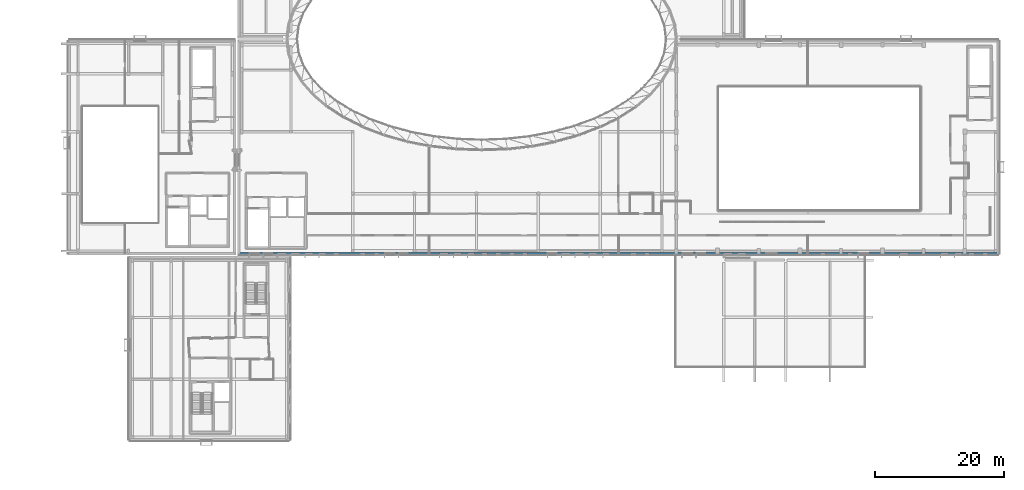
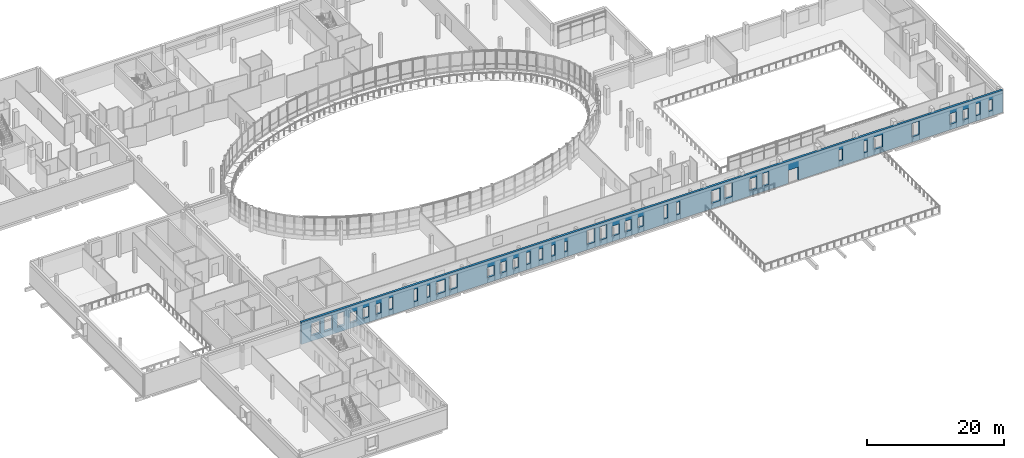
# One storey, part 41 of 73: 1 wall, 38 openings.
"""IFC4 building model written with IfcOpenShell, lengths in metres."""

from ifc_helpers import new_model, si_unit, direction, frame, frame_2d, origin, place, context, subcontext, project, spatial, rectangle, extrude, material, layer, layer_set, type_object, element, save


model = new_model("IFC4")

# Units and contexts
model_context = context("Model", 3, precision=1e-05, world=origin(), true_north=direction((0.0, 1.0)))
body_context = subcontext(model_context, "Body", "Model", "MODEL_VIEW")
ifc_project = project(units=[si_unit("LENGTHUNIT", "METRE"), si_unit("AREAUNIT", "SQUARE_METRE"), si_unit("VOLUMEUNIT", "CUBIC_METRE"), si_unit("PLANEANGLEUNIT", "RADIAN"), si_unit("MASSUNIT", "GRAM", prefix="KILO")], contexts=[model_context])

# Site, building, storey
site_placement = place(None, origin())
site = spatial("IfcSite", under=ifc_project, at=site_placement, CompositionType="ELEMENT")
building_placement = place(site_placement, origin())
building = spatial("IfcBuilding", under=site, at=building_placement, Name="Mzevani Central Library", CompositionType="ELEMENT")
storey_placement = place(building_placement, frame((0.0, 0.0, 9.60009765625)))
storey = spatial("IfcBuildingStorey", under=building, at=storey_placement, Name="L02", CompositionType="ELEMENT", Elevation=9.60009765625)

# Wall, openings
ifc_material = material(Name="Precast concrete C40/50", Category="concrete")
ifc_layer = layer(ifc_material, 0.3798828125, Name="Exterior Thermal Concrete Wall 380")
ifc_layer_set = layer_set([ifc_layer], Name="Precast concrete C40/50")
wall_type = type_object("IfcWallType", Name="Exterior Thermal Concrete Wall 380", PredefinedType="STANDARD", material=ifc_layer_set)
wall_placement = place(storey_placement, frame((164.2099609375, 42.68994140625, 0.0), z_axis=(0.0, 0.0, 1.0), x_axis=(-1.0, 0.0, 0.0)))
wall = element("IfcWall", 1, at=wall_placement, inside=storey, type_object=wall_type, Name="L02 V1 Exterior Thermal Wall (11)", PredefinedType="STANDARD", context=body_context, shape_type="SweptSolid", body=[
    extrude(rectangle(XDim=117.919921875, YDim=0.3798828125, at=frame_2d((58.9599609375, 0.0))), origin(), (0.0, 0.0, 1.0), 3.93994140625),
])
opening_1_placement = place(wall_placement, frame((34.385009765625, 0.0, 0.0)))
element("IfcOpeningElement", 2, at=opening_1_placement, cuts=wall, Name="Opening ED-02", PredefinedType="OPENING", context=body_context, shape_type="SweptSolid", body=[
    extrude(rectangle(XDim=1.64990234375, YDim=2.300048828125, at=frame_2d((0.824951171875, 1.14990234375))), frame((0.0, 0.199951171875, 0.0), z_axis=(0.0, -1.0, 0.0), x_axis=(1.0, 0.0, 0.0)), (0.0, 0.0, 1.0), 0.39990234375),
])
opening_2_placement = place(wall_placement, frame((1.72509765625, 0.0, 0.949951171875)))
element("IfcOpeningElement", 3, at=opening_2_placement, cuts=wall, Name="Opening WS-05", PredefinedType="OPENING", context=body_context, shape_type="SweptSolid", body=[
    extrude(rectangle(XDim=0.64990234375, YDim=2.0, at=frame_2d((0.324951171875, 1.0))), frame((0.0, 0.199951171875, 0.0), z_axis=(0.0, -1.0, 0.0), x_axis=(1.0, 0.0, 0.0)), (0.0, 0.0, 1.0), 0.39990234375),
])
opening_3_placement = place(wall_placement, frame((3.800048828125, 0.0, 0.949951171875)))
element("IfcOpeningElement", 4, at=opening_3_placement, cuts=wall, Name="Opening WS-07", PredefinedType="OPENING", context=body_context, shape_type="SweptSolid", body=[
    extrude(rectangle(XDim=0.699951171875, YDim=2.10009765625, at=frame_2d((0.35009765625, 1.050048828125))), frame((0.0, 0.199951171875, 0.0), z_axis=(0.0, -1.0, 0.0), x_axis=(1.0, 0.0, 0.0)), (0.0, 0.0, 1.0), 0.39990234375),
])
opening_4_placement = place(wall_placement, frame((5.800048828125, 0.0, 0.949951171875)))
element("IfcOpeningElement", 5, at=opening_4_placement, cuts=wall, Name="Opening W-01", PredefinedType="OPENING", context=body_context, shape_type="SweptSolid", body=[
    extrude(rectangle(XDim=0.89990234375, YDim=1.800048828125, at=frame_2d((0.449951171875, 0.89990234375))), frame((0.0, 0.199951171875, 0.0), z_axis=(0.0, -1.0, 0.0), x_axis=(1.0, 0.0, 0.0)), (0.0, 0.0, 1.0), 0.39990234375),
])
opening_5_placement = place(wall_placement, frame((7.824951171875, 0.0, 0.949951171875)))
element("IfcOpeningElement", 6, at=opening_5_placement, cuts=wall, Name="Opening W-03", PredefinedType="OPENING", context=body_context, shape_type="SweptSolid", body=[
    extrude(rectangle(XDim=1.050048828125, YDim=1.89990234375, at=frame_2d((0.52490234375, 0.949951171875))), frame((0.0, 0.199951171875, 0.0), z_axis=(0.0, -1.0, 0.0), x_axis=(1.0, 0.0, 0.0)), (0.0, 0.0, 1.0), 0.39990234375),
])
opening_6_placement = place(wall_placement, frame((14.050048828125, 0.0, 0.949951171875)))
element("IfcOpeningElement", 7, at=opening_6_placement, cuts=wall, Name="Opening W-07", PredefinedType="OPENING", context=body_context, shape_type="SweptSolid", body=[
    extrude(rectangle(XDim=1.199951171875, YDim=2.39990234375, at=frame_2d((0.60009765625, 1.199951171875))), frame((0.0, 0.199951171875, 0.0), z_axis=(0.0, -1.0, 0.0), x_axis=(1.0, 0.0, 0.0)), (0.0, 0.0, 1.0), 0.39990234375),
])
opening_7_placement = place(wall_placement, frame((20.199951171875, 0.0, 0.949951171875)))
element("IfcOpeningElement", 8, at=opening_7_placement, cuts=wall, Name="Opening W-11", PredefinedType="OPENING", context=body_context, shape_type="SweptSolid", body=[
    extrude(rectangle(XDim=1.5, YDim=2.199951171875, at=frame_2d((0.75, 1.10009765625))), frame((0.0, 0.199951171875, 0.0), z_axis=(0.0, -1.0, 0.0), x_axis=(1.0, 0.0, 0.0)), (0.0, 0.0, 1.0), 0.39990234375),
])
opening_8_placement = place(wall_placement, frame((22.77490234375, 0.0, 0.949951171875)))
element("IfcOpeningElement", 9, at=opening_8_placement, cuts=wall, Name="Opening WS-02", PredefinedType="OPENING", context=body_context, shape_type="SweptSolid", body=[
    extrude(rectangle(XDim=0.550048828125, YDim=2.10009765625, at=frame_2d((0.27490234375, 1.050048828125))), frame((0.0, 0.199951171875, 0.0), z_axis=(0.0, -1.0, 0.0), x_axis=(1.0, 0.0, 0.0)), (0.0, 0.0, 1.0), 0.39990234375),
])
opening_9_placement = place(wall_placement, frame((26.925048828125, 0.0, 0.949951171875)))
element("IfcOpeningElement", 10, at=opening_9_placement, cuts=wall, Name="Opening WS-05", PredefinedType="OPENING", context=body_context, shape_type="SweptSolid", body=[
    extrude(rectangle(XDim=0.64990234375, YDim=2.0, at=frame_2d((0.324951171875, 1.0))), frame((0.0, 0.199951171875, 0.0), z_axis=(0.0, -1.0, 0.0), x_axis=(1.0, 0.0, 0.0)), (0.0, 0.0, 1.0), 0.39990234375),
])
opening_10_placement = place(wall_placement, frame((39.324951171875, 0.0, 0.949951171875)))
element("IfcOpeningElement", 11, at=opening_10_placement, cuts=wall, Name="Opening W-04", PredefinedType="OPENING", context=body_context, shape_type="SweptSolid", body=[
    extrude(rectangle(XDim=1.050048828125, YDim=2.300048828125, at=frame_2d((0.52490234375, 1.14990234375))), frame((0.0, 0.199951171875, 0.0), z_axis=(0.0, -1.0, 0.0), x_axis=(1.0, 0.0, 0.0)), (0.0, 0.0, 1.0), 0.39990234375),
])
opening_11_placement = place(wall_placement, frame((41.35009765625, 0.0, 0.949951171875)))
element("IfcOpeningElement", 12, at=opening_11_placement, cuts=wall, Name="Opening W-06", PredefinedType="OPENING", context=body_context, shape_type="SweptSolid", body=[
    extrude(rectangle(XDim=1.199951171875, YDim=2.10009765625, at=frame_2d((0.60009765625, 1.050048828125))), frame((0.0, 0.199951171875, 0.0), z_axis=(0.0, -1.0, 0.0), x_axis=(1.0, 0.0, 0.0)), (0.0, 0.0, 1.0), 0.39990234375),
])
opening_12_placement = place(wall_placement, frame((45.47509765625, 0.0, 0.949951171875)))
element("IfcOpeningElement", 13, at=opening_12_placement, cuts=wall, Name="Opening W-09", PredefinedType="OPENING", context=body_context, shape_type="SweptSolid", body=[
    extrude(rectangle(XDim=1.35009765625, YDim=2.5, at=frame_2d((0.675048828125, 1.25))), frame((0.0, 0.199951171875, 0.0), z_axis=(0.0, -1.0, 0.0), x_axis=(1.0, 0.0, 0.0)), (0.0, 0.0, 1.0), 0.39990234375),
])
opening_13_placement = place(wall_placement, frame((47.5, 0.0, 0.949951171875)))
element("IfcOpeningElement", 14, at=opening_13_placement, cuts=wall, Name="Opening W-11", PredefinedType="OPENING", context=body_context, shape_type="SweptSolid", body=[
    extrude(rectangle(XDim=1.5, YDim=2.199951171875, at=frame_2d((0.75, 1.10009765625))), frame((0.0, 0.199951171875, 0.0), z_axis=(0.0, -1.0, 0.0), x_axis=(1.0, 0.0, 0.0)), (0.0, 0.0, 1.0), 0.39990234375),
])
opening_14_placement = place(wall_placement, frame((54.25, 0.0, 0.949951171875)))
element("IfcOpeningElement", 15, at=opening_14_placement, cuts=wall, Name="Opening WS-04", PredefinedType="OPENING", context=body_context, shape_type="SweptSolid", body=[
    extrude(rectangle(XDim=0.60009765625, YDim=2.199951171875, at=frame_2d((0.300048828125, 1.10009765625))), frame((0.0, 0.199951171875, 0.0), z_axis=(0.0, -1.0, 0.0), x_axis=(1.0, 0.0, 0.0)), (0.0, 0.0, 1.0), 0.39990234375),
])
opening_15_placement = place(wall_placement, frame((56.324951171875, 0.0, 0.949951171875)))
element("IfcOpeningElement", 16, at=opening_15_placement, cuts=wall, Name="Opening WS-06", PredefinedType="OPENING", context=body_context, shape_type="SweptSolid", body=[
    extrude(rectangle(XDim=0.64990234375, YDim=2.39990234375, at=frame_2d((0.324951171875, 1.199951171875))), frame((0.0, 0.199951171875, 0.0), z_axis=(0.0, -1.0, 0.0), x_axis=(1.0, 0.0, 0.0)), (0.0, 0.0, 1.0), 0.39990234375),
])
opening_16_placement = place(wall_placement, frame((60.39990234375, 0.0, 0.949951171875)))
element("IfcOpeningElement", 17, at=opening_16_placement, cuts=wall, Name="Opening W-01", PredefinedType="OPENING", context=body_context, shape_type="SweptSolid", body=[
    extrude(rectangle(XDim=0.89990234375, YDim=1.800048828125, at=frame_2d((0.449951171875, 0.89990234375))), frame((0.0, 0.199951171875, 0.0), z_axis=(0.0, -1.0, 0.0), x_axis=(1.0, 0.0, 0.0)), (0.0, 0.0, 1.0), 0.39990234375),
])
opening_17_placement = place(wall_placement, frame((62.425048828125, 0.0, 0.949951171875)))
element("IfcOpeningElement", 18, at=opening_17_placement, cuts=wall, Name="Opening W-03", PredefinedType="OPENING", context=body_context, shape_type="SweptSolid", body=[
    extrude(rectangle(XDim=1.050048828125, YDim=1.89990234375, at=frame_2d((0.52490234375, 0.949951171875))), frame((0.0, 0.199951171875, 0.0), z_axis=(0.0, -1.0, 0.0), x_axis=(1.0, 0.0, 0.0)), (0.0, 0.0, 1.0), 0.39990234375),
])
opening_18_placement = place(wall_placement, frame((64.449951171875, 0.0, 0.949951171875)))
element("IfcOpeningElement", 19, at=opening_18_placement, cuts=wall, Name="Opening W-05", PredefinedType="OPENING", context=body_context, shape_type="SweptSolid", body=[
    extrude(rectangle(XDim=1.199951171875, YDim=1.800048828125, at=frame_2d((0.60009765625, 0.89990234375))), frame((0.0, 0.199951171875, 0.0), z_axis=(0.0, -1.0, 0.0), x_axis=(1.0, 0.0, 0.0)), (0.0, 0.0, 1.0), 0.39990234375),
])
opening_19_placement = place(wall_placement, frame((66.550048828125, 0.0, 0.949951171875)))
element("IfcOpeningElement", 20, at=opening_19_placement, cuts=wall, Name="Opening W-07", PredefinedType="OPENING", context=body_context, shape_type="SweptSolid", body=[
    extrude(rectangle(XDim=1.199951171875, YDim=2.39990234375, at=frame_2d((0.60009765625, 1.199951171875))), frame((0.0, 0.199951171875, 0.0), z_axis=(0.0, -1.0, 0.0), x_axis=(1.0, 0.0, 0.0)), (0.0, 0.0, 1.0), 0.39990234375),
])
opening_20_placement = place(wall_placement, frame((68.574951171875, 0.0, 0.949951171875)))
element("IfcOpeningElement", 21, at=opening_20_placement, cuts=wall, Name="Opening W-09", PredefinedType="OPENING", context=body_context, shape_type="SweptSolid", body=[
    extrude(rectangle(XDim=1.35009765625, YDim=2.5, at=frame_2d((0.675048828125, 1.25))), frame((0.0, 0.199951171875, 0.0), z_axis=(0.0, -1.0, 0.0), x_axis=(1.0, 0.0, 0.0)), (0.0, 0.0, 1.0), 0.39990234375),
])
opening_21_placement = place(wall_placement, frame((73.175048828125, 0.0, 0.949951171875)))
element("IfcOpeningElement", 22, at=opening_21_placement, cuts=wall, Name="Opening WS-01", PredefinedType="OPENING", context=body_context, shape_type="SweptSolid", body=[
    extrude(rectangle(XDim=0.550048828125, YDim=1.800048828125, at=frame_2d((0.27490234375, 0.89990234375))), frame((0.0, 0.199951171875, 0.0), z_axis=(0.0, -1.0, 0.0), x_axis=(1.0, 0.0, 0.0)), (0.0, 0.0, 1.0), 0.39990234375),
])
opening_22_placement = place(wall_placement, frame((75.25, 0.0, 0.949951171875)))
element("IfcOpeningElement", 23, at=opening_22_placement, cuts=wall, Name="Opening WS-03", PredefinedType="OPENING", context=body_context, shape_type="SweptSolid", body=[
    extrude(rectangle(XDim=0.60009765625, YDim=1.89990234375, at=frame_2d((0.300048828125, 0.949951171875))), frame((0.0, 0.199951171875, 0.0), z_axis=(0.0, -1.0, 0.0), x_axis=(1.0, 0.0, 0.0)), (0.0, 0.0, 1.0), 0.39990234375),
])
opening_23_placement = place(wall_placement, frame((77.324951171875, 0.0, 0.949951171875)))
element("IfcOpeningElement", 24, at=opening_23_placement, cuts=wall, Name="Opening WS-05", PredefinedType="OPENING", context=body_context, shape_type="SweptSolid", body=[
    extrude(rectangle(XDim=0.64990234375, YDim=2.0, at=frame_2d((0.324951171875, 1.0))), frame((0.0, 0.199951171875, 0.0), z_axis=(0.0, -1.0, 0.0), x_axis=(1.0, 0.0, 0.0)), (0.0, 0.0, 1.0), 0.39990234375),
])
opening_24_placement = place(wall_placement, frame((79.39990234375, 0.0, 0.949951171875)))
element("IfcOpeningElement", 25, at=opening_24_placement, cuts=wall, Name="Opening WS-07", PredefinedType="OPENING", context=body_context, shape_type="SweptSolid", body=[
    extrude(rectangle(XDim=0.699951171875, YDim=2.10009765625, at=frame_2d((0.35009765625, 1.050048828125))), frame((0.0, 0.199951171875, 0.0), z_axis=(0.0, -1.0, 0.0), x_axis=(1.0, 0.0, 0.0)), (0.0, 0.0, 1.0), 0.39990234375),
])
opening_25_placement = place(wall_placement, frame((81.39990234375, 0.0, 0.949951171875)))
element("IfcOpeningElement", 26, at=opening_25_placement, cuts=wall, Name="Opening W-01", PredefinedType="OPENING", context=body_context, shape_type="SweptSolid", body=[
    extrude(rectangle(XDim=0.89990234375, YDim=1.800048828125, at=frame_2d((0.449951171875, 0.89990234375))), frame((0.0, 0.199951171875, 0.0), z_axis=(0.0, -1.0, 0.0), x_axis=(1.0, 0.0, 0.0)), (0.0, 0.0, 1.0), 0.39990234375),
])
opening_26_placement = place(wall_placement, frame((83.425048828125, 0.0, 0.949951171875)))
element("IfcOpeningElement", 27, at=opening_26_placement, cuts=wall, Name="Opening W-03", PredefinedType="OPENING", context=body_context, shape_type="SweptSolid", body=[
    extrude(rectangle(XDim=1.050048828125, YDim=1.89990234375, at=frame_2d((0.52490234375, 0.949951171875))), frame((0.0, 0.199951171875, 0.0), z_axis=(0.0, -1.0, 0.0), x_axis=(1.0, 0.0, 0.0)), (0.0, 0.0, 1.0), 0.39990234375),
])
opening_27_placement = place(wall_placement, frame((85.449951171875, 0.0, 0.949951171875)))
element("IfcOpeningElement", 28, at=opening_27_placement, cuts=wall, Name="Opening W-05", PredefinedType="OPENING", context=body_context, shape_type="SweptSolid", body=[
    extrude(rectangle(XDim=1.199951171875, YDim=1.800048828125, at=frame_2d((0.60009765625, 0.89990234375))), frame((0.0, 0.199951171875, 0.0), z_axis=(0.0, -1.0, 0.0), x_axis=(1.0, 0.0, 0.0)), (0.0, 0.0, 1.0), 0.39990234375),
])
opening_28_placement = place(wall_placement, frame((91.675048828125, 0.0, 0.949951171875)))
element("IfcOpeningElement", 29, at=opening_28_placement, cuts=wall, Name="Opening W-09", PredefinedType="OPENING", context=body_context, shape_type="SweptSolid", body=[
    extrude(rectangle(XDim=1.35009765625, YDim=2.5, at=frame_2d((0.675048828125, 1.25))), frame((0.0, 0.199951171875, 0.0), z_axis=(0.0, -1.0, 0.0), x_axis=(1.0, 0.0, 0.0)), (0.0, 0.0, 1.0), 0.39990234375),
])
opening_29_placement = place(wall_placement, frame((93.699951171875, 0.0, 0.949951171875)))
element("IfcOpeningElement", 30, at=opening_29_placement, cuts=wall, Name="Opening W-11", PredefinedType="OPENING", context=body_context, shape_type="SweptSolid", body=[
    extrude(rectangle(XDim=1.5, YDim=2.199951171875, at=frame_2d((0.75, 1.10009765625))), frame((0.0, 0.199951171875, 0.0), z_axis=(0.0, -1.0, 0.0), x_axis=(1.0, 0.0, 0.0)), (0.0, 0.0, 1.0), 0.39990234375),
])
opening_30_placement = place(wall_placement, frame((96.27490234375, 0.0, 0.949951171875)))
element("IfcOpeningElement", 31, at=opening_30_placement, cuts=wall, Name="Opening WS-02", PredefinedType="OPENING", context=body_context, shape_type="SweptSolid", body=[
    extrude(rectangle(XDim=0.550048828125, YDim=2.10009765625, at=frame_2d((0.27490234375, 1.050048828125))), frame((0.0, 0.199951171875, 0.0), z_axis=(0.0, -1.0, 0.0), x_axis=(1.0, 0.0, 0.0)), (0.0, 0.0, 1.0), 0.39990234375),
])
opening_31_placement = place(wall_placement, frame((98.35009765625, 0.0, 0.949951171875)))
element("IfcOpeningElement", 32, at=opening_31_placement, cuts=wall, Name="Opening WS-04", PredefinedType="OPENING", context=body_context, shape_type="SweptSolid", body=[
    extrude(rectangle(XDim=0.60009765625, YDim=2.199951171875, at=frame_2d((0.300048828125, 1.10009765625))), frame((0.0, 0.199951171875, 0.0), z_axis=(0.0, -1.0, 0.0), x_axis=(1.0, 0.0, 0.0)), (0.0, 0.0, 1.0), 0.39990234375),
])
opening_32_placement = place(wall_placement, frame((102.5, 0.0, 0.949951171875)))
element("IfcOpeningElement", 33, at=opening_32_placement, cuts=wall, Name="Opening WS-07", PredefinedType="OPENING", context=body_context, shape_type="SweptSolid", body=[
    extrude(rectangle(XDim=0.699951171875, YDim=2.10009765625, at=frame_2d((0.35009765625, 1.050048828125))), frame((0.0, 0.199951171875, 0.0), z_axis=(0.0, -1.0, 0.0), x_axis=(1.0, 0.0, 0.0)), (0.0, 0.0, 1.0), 0.39990234375),
])
opening_33_placement = place(wall_placement, frame((104.5, 0.0, 0.949951171875)))
element("IfcOpeningElement", 34, at=opening_33_placement, cuts=wall, Name="Opening W-01", PredefinedType="OPENING", context=body_context, shape_type="SweptSolid", body=[
    extrude(rectangle(XDim=0.89990234375, YDim=1.800048828125, at=frame_2d((0.449951171875, 0.89990234375))), frame((0.0, 0.199951171875, 0.0), z_axis=(0.0, -1.0, 0.0), x_axis=(1.0, 0.0, 0.0)), (0.0, 0.0, 1.0), 0.39990234375),
])
opening_34_placement = place(wall_placement, frame((106.52490234375, 0.0, 0.949951171875)))
element("IfcOpeningElement", 35, at=opening_34_placement, cuts=wall, Name="Opening W-03", PredefinedType="OPENING", context=body_context, shape_type="SweptSolid", body=[
    extrude(rectangle(XDim=1.050048828125, YDim=1.89990234375, at=frame_2d((0.52490234375, 0.949951171875))), frame((0.0, 0.199951171875, 0.0), z_axis=(0.0, -1.0, 0.0), x_axis=(1.0, 0.0, 0.0)), (0.0, 0.0, 1.0), 0.39990234375),
])
opening_35_placement = place(wall_placement, frame((108.550048828125, 0.0, 0.949951171875)))
element("IfcOpeningElement", 36, at=opening_35_placement, cuts=wall, Name="Opening W-05", PredefinedType="OPENING", context=body_context, shape_type="SweptSolid", body=[
    extrude(rectangle(XDim=1.199951171875, YDim=1.800048828125, at=frame_2d((0.60009765625, 0.89990234375))), frame((0.0, 0.199951171875, 0.0), z_axis=(0.0, -1.0, 0.0), x_axis=(1.0, 0.0, 0.0)), (0.0, 0.0, 1.0), 0.39990234375),
])
opening_36_placement = place(wall_placement, frame((110.64990234375, 0.0, 0.949951171875)))
element("IfcOpeningElement", 37, at=opening_36_placement, cuts=wall, Name="Opening W-07", PredefinedType="OPENING", context=body_context, shape_type="SweptSolid", body=[
    extrude(rectangle(XDim=1.199951171875, YDim=2.39990234375, at=frame_2d((0.60009765625, 1.199951171875))), frame((0.0, 0.199951171875, 0.0), z_axis=(0.0, -1.0, 0.0), x_axis=(1.0, 0.0, 0.0)), (0.0, 0.0, 1.0), 0.39990234375),
])
opening_37_placement = place(wall_placement, frame((112.675048828125, 0.0, 0.949951171875)))
element("IfcOpeningElement", 38, at=opening_37_placement, cuts=wall, Name="Opening W-09", PredefinedType="OPENING", context=body_context, shape_type="SweptSolid", body=[
    extrude(rectangle(XDim=1.35009765625, YDim=2.5, at=frame_2d((0.675048828125, 1.25))), frame((0.0, 0.199951171875, 0.0), z_axis=(0.0, -1.0, 0.0), x_axis=(1.0, 0.0, 0.0)), (0.0, 0.0, 1.0), 0.39990234375),
])
opening_38_placement = place(wall_placement, frame((114.699951171875, 0.0, 0.949951171875)))
element("IfcOpeningElement", 39, at=opening_38_placement, cuts=wall, Name="Opening W-11", PredefinedType="OPENING", context=body_context, shape_type="SweptSolid", body=[
    extrude(rectangle(XDim=1.5, YDim=2.199951171875, at=frame_2d((0.75, 1.10009765625))), frame((0.0, 0.199951171875, 0.0), z_axis=(0.0, -1.0, 0.0), x_axis=(1.0, 0.0, 0.0)), (0.0, 0.0, 1.0), 0.39990234375),
])

save(model, "model.ifc")
